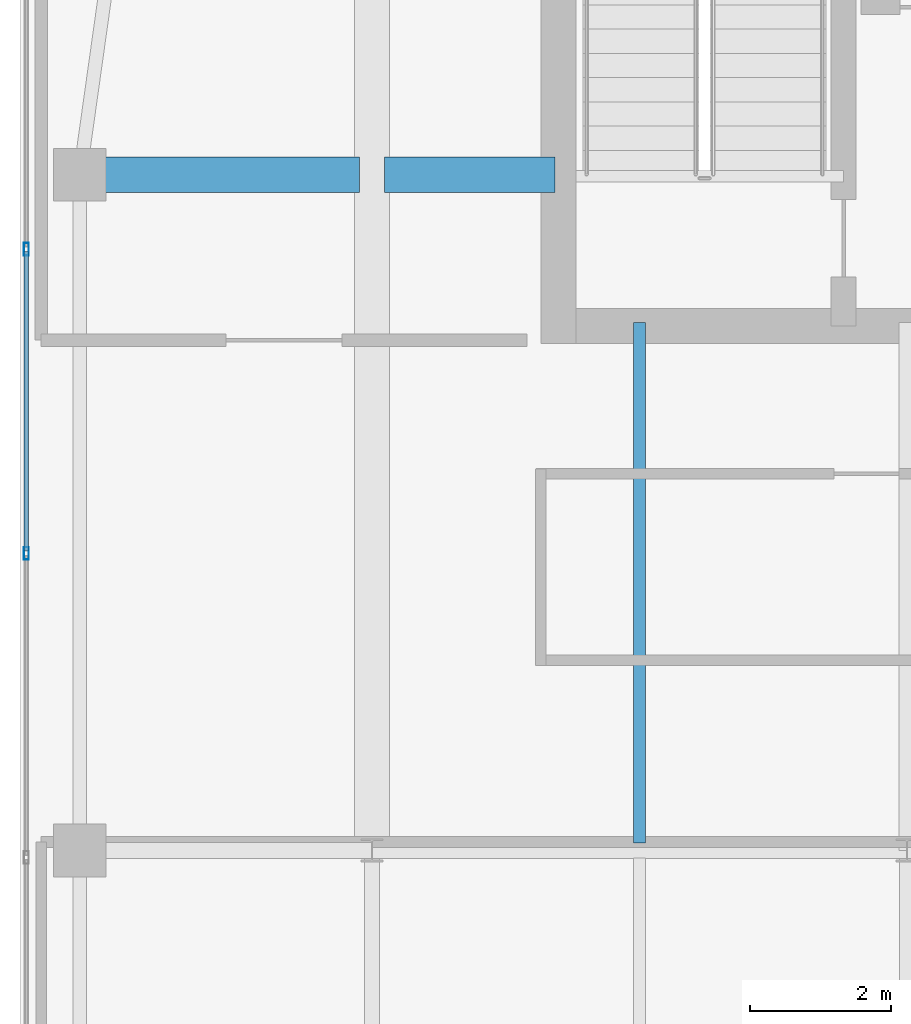
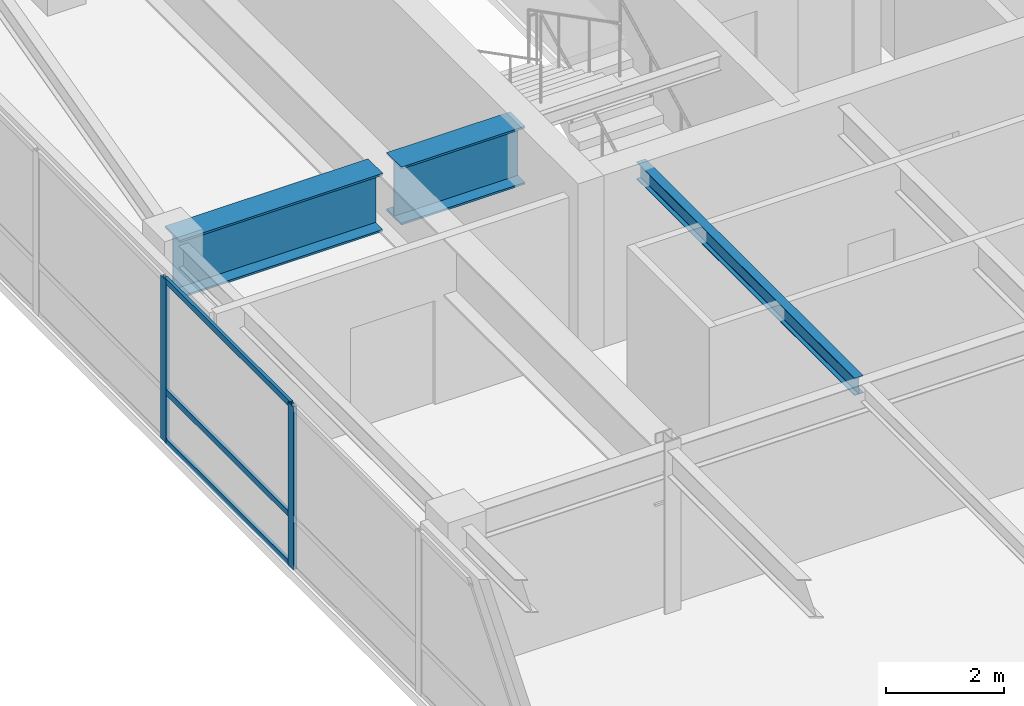
# One storey, part 9 of 21: 5 members, 3 beams, 1 element without a shape of its own.
"""IFC4 building model written with IfcOpenShell, lengths in metres."""

from ifc_helpers import new_model, si_unit, direction, frame, origin, origin_2d, place, context, subcontext, project, spatial, hollow_rectangle, i_section, extrude, source, transform, mapped, material, layer, layer_set, material_profile, profile_set, type_object, type_shapes, element, aggregate, save


model = new_model("IFC4")

# Units and contexts
model_context = context("Model", 3, precision=1e-05, world=origin(), true_north=direction((0.0, 1.0)))
body_context = subcontext(model_context, "Body", "Model", "MODEL_VIEW")
ifc_project = project(units=[si_unit("LENGTHUNIT", "METRE"), si_unit("AREAUNIT", "SQUARE_METRE"), si_unit("VOLUMEUNIT", "CUBIC_METRE"), si_unit("PLANEANGLEUNIT", "RADIAN"), si_unit("MASSUNIT", "GRAM", prefix="KILO")], contexts=[model_context])

# Site, building, storey
site_placement = place(None, origin())
site = spatial("IfcSite", under=ifc_project, at=site_placement, CompositionType="ELEMENT")
building_placement = place(site_placement, origin())
building = spatial("IfcBuilding", under=site, at=building_placement, Name="Tolvann Quenvar Hotel", CompositionType="ELEMENT")
storey_placement = place(building_placement, frame((0.0, 0.0, 227.449951171875)))
storey = spatial("IfcBuildingStorey", under=building, at=storey_placement, Name="L60", CompositionType="ELEMENT", Elevation=227.449951171875)

# Beams
ifc_material_1 = material(Name="Steel Grade 350", Category="steel")
ifc_material_profile_1 = material_profile(ifc_material_1, i_section(OverallWidth=0.5, OverallDepth=1.199951171875, WebThickness=0.01611328125, FlangeThickness=0.0400390625, at=origin_2d()), Name="1200WB455")
ifc_profile_set_1 = profile_set([ifc_material_profile_1], Name="Steel Grade 350")
beam_type_1 = type_object("IfcBeamType", Name="BM_TG_1200WB455", PredefinedType="USERDEFINED", material=ifc_profile_set_1)
shared_shape_1 = source(origin(), body_context, "Body", "SweptSolid", [
    extrude(i_section(OverallWidth=0.5, OverallDepth=1.199951171875, WebThickness=0.01611328125, FlangeThickness=0.0400390625, at=origin_2d()), origin(), (0.0, 0.0, 1.0), 2.419921875),
])
beam_1_placement = place(storey_placement, frame((7.780029296875, 34.0, 2.77001953125), z_axis=(1.0, 0.0, 0.0), x_axis=(0.0, 1.0, 0.0)))
element("IfcBeam", 1, at=beam_1_placement, inside=storey, type_object=beam_type_1, Name="BM-L60-CTW-MID2", ObjectType="TRANSFER GIRDER", PredefinedType="USERDEFINED", context=body_context, shape_type="MappedRepresentation", body=[
    mapped(shared_shape_1, transform((0.0, 0.0, 0.0), x_axis=(1.0, 0.0, 0.0), y_axis=(0.0, 1.0, 0.0), z_axis=(0.0, 0.0, 1.0), scale=1.0)),
])
shared_shape_2 = source(origin(), body_context, "Body", "SweptSolid", [
    extrude(i_section(OverallWidth=0.5, OverallDepth=1.199951171875, WebThickness=0.01611328125, FlangeThickness=0.0400390625, at=origin_2d()), origin(), (0.0, 0.0, 1.0), 3.969970703125),
])
type_shapes(beam_type_1, [shared_shape_1, shared_shape_2])
beam_2_placement = place(storey_placement, frame((3.449951171875, 34.0, 2.77001953125), z_axis=(1.0, 0.0, 0.0), x_axis=(0.0, 1.0, 0.0)))
element("IfcBeam", 2, at=beam_2_placement, inside=storey, type_object=beam_type_1, Name="BM-L60-CTW-MID1", ObjectType="TRANSFER GIRDER", PredefinedType="USERDEFINED", context=body_context, shape_type="MappedRepresentation", body=[
    mapped(shared_shape_2, transform((0.0, 0.0, 0.0), x_axis=(1.0, 0.0, 0.0), y_axis=(0.0, 1.0, 0.0), z_axis=(0.0, 0.0, 1.0), scale=1.0)),
])
ifc_material_profile_2 = material_profile(ifc_material_1, i_section(OverallWidth=0.172119140625, OverallDepth=0.35888671875, WebThickness=0.008056640625, FlangeThickness=0.012939453125, FilletRadius=0.011474609375, at=origin_2d()), Name="360UB57")
ifc_profile_set_2 = profile_set([ifc_material_profile_2], Name="Steel Grade 350")
beam_type_2 = type_object("IfcBeamType", Name="BM_JOIST_360UB57", PredefinedType="JOIST", material=ifc_profile_set_2)
shared_shape_3 = source(origin(), body_context, "Body", "SweptSolid", [
    extrude(i_section(OverallWidth=0.172119140625, OverallDepth=0.35888671875, WebThickness=0.008056640625, FlangeThickness=0.012939453125, FilletRadius=0.011474609375, at=origin_2d()), origin(), (0.0, 0.0, 1.0), 7.391845703125),
])
type_shapes(beam_type_2, [shared_shape_3])
beam_3_placement = place(storey_placement, frame((11.39990234375, 24.508056640625, 3.1904296875), z_axis=(0.0, 1.0, 0.0), x_axis=(-1.0, 0.0, 0.0)))
element("IfcBeam", 3, at=beam_3_placement, inside=storey, type_object=beam_type_2, Name="BJ-L60-114-244", PredefinedType="JOIST", context=body_context, shape_type="MappedRepresentation", body=[
    mapped(shared_shape_3, transform((0.0, 0.0, 0.0), x_axis=(1.0, 0.0, 0.0), y_axis=(0.0, 1.0, 0.0), z_axis=(0.0, 0.0, 1.0), scale=1.0)),
])

# Curtain wall, members
ifc_material_2 = material(Name="Thermally broken anodised architectural aluminium 6063-T6 and laminated low-E glass", Category="aluminium")
ifc_layer = layer(ifc_material_2, 0.179931640625)
ifc_layer_set = layer_set([ifc_layer], Name="Thermally broken anodised architectural aluminium 6063-T6 and laminated low-E glass")
curtain_wall_type = type_object("IfcCurtainWallType", Name="CW_SYS_BAND_04", PredefinedType="USERDEFINED", material=ifc_layer_set)
curtain_wall_placement = place(storey_placement, origin())
curtain_wall = element("IfcCurtainWall", 4, at=curtain_wall_placement, inside=storey, type_object=curtain_wall_type, Name="Curtain Wall CW-BAND-04 (CWR-L60-E19)", ObjectType="UNITISED CURTAIN WALL", PredefinedType="USERDEFINED")
ifc_material_3 = material(Name="Anodised architectural aluminium 6063-T6 framing", Category="aluminium")
ifc_material_profile_3 = material_profile(ifc_material_3, hollow_rectangle(XDim=0.070068359375, YDim=0.179931640625, WallThickness=0.00390625, at=origin_2d()), Name="180x70x4RHS")
ifc_profile_set_3 = profile_set([ifc_material_profile_3], Name="Anodised architectural aluminium 6063-T6 framing")
member_type_1 = type_object("IfcMemberType", Name="CW_MULL_180x70", PredefinedType="MULLION", material=ifc_profile_set_3)
shared_shape_4 = source(origin(), body_context, "Body", "SweptSolid", [
    extrude(hollow_rectangle(XDim=0.070068359375, YDim=0.179931640625, WallThickness=0.00390625, at=origin_2d()), origin(), (0.0, 0.0, 1.0), 3.3701171875),
])
type_shapes(member_type_1, [shared_shape_4])
member_1_placement = place(storey_placement, frame((2.68994140625, 32.94140625, 0.0), z_axis=(0.0, 0.0, 1.0), x_axis=(1.0, 0.0, 0.0)))
member_1 = element("IfcMember", 5, at=member_1_placement, type_object=member_type_1, Name="CW-BAND-04 mullion 3", PredefinedType="MULLION", context=body_context, shape_type="MappedRepresentation", body=[
    mapped(shared_shape_4, transform((0.0, 0.0, 0.0), x_axis=(1.0, 0.0, 0.0), y_axis=(0.0, 1.0, 0.0), z_axis=(0.0, 0.0, 1.0), scale=1.0)),
])
member_2_placement = place(storey_placement, frame((2.68994140625, 28.62060546875, 0.0), z_axis=(0.0, 0.0, 1.0), x_axis=(1.0, 0.0, 0.0)))
member_2 = element("IfcMember", 6, at=member_2_placement, type_object=member_type_1, Name="CW-BAND-04 mullion 4", PredefinedType="MULLION", context=body_context, shape_type="MappedRepresentation", body=[
    mapped(shared_shape_4, transform((0.0, 0.0, 0.0), x_axis=(1.0, 0.0, 0.0), y_axis=(0.0, 1.0, 0.0), z_axis=(0.0, 0.0, 1.0), scale=1.0)),
])
ifc_material_profile_4 = material_profile(ifc_material_3, hollow_rectangle(XDim=0.06005859375, YDim=0.1201171875, WallThickness=0.00341796875, at=origin_2d()), Name="120x60x3.5RHS")
ifc_profile_set_4 = profile_set([ifc_material_profile_4], Name="Anodised architectural aluminium 6063-T6 framing")
member_type_2 = type_object("IfcMemberType", Name="CW_TRAN_120x60", PredefinedType="USERDEFINED", material=ifc_profile_set_4)
shared_shape_5 = source(origin(), body_context, "Body", "SweptSolid", [
    extrude(hollow_rectangle(XDim=0.06005859375, YDim=0.1201171875, WallThickness=0.00341796875, at=origin_2d()), origin(), (0.0, 0.0, 1.0), 4.250732421875),
])
type_shapes(member_type_2, [shared_shape_5])
member_3_placement = place(storey_placement, frame((2.68994140625, 32.906494140625, 0.030029296875), z_axis=(0.0, -1.0, 0.0), x_axis=(1.0, 0.0, 0.0)))
member_3 = element("IfcMember", 7, at=member_3_placement, type_object=member_type_2, Name="CW-BAND-04 transom 3.1", ObjectType="TRANSOM", PredefinedType="USERDEFINED", context=body_context, shape_type="MappedRepresentation", body=[
    mapped(shared_shape_5, transform((0.0, 0.0, 0.0), x_axis=(1.0, 0.0, 0.0), y_axis=(0.0, 1.0, 0.0), z_axis=(0.0, 0.0, 1.0), scale=1.0)),
])
member_4_placement = place(storey_placement, frame((2.68994140625, 32.906494140625, 1.050048828125), z_axis=(0.0, -1.0, 0.0), x_axis=(1.0, 0.0, 0.0)))
member_4 = element("IfcMember", 8, at=member_4_placement, type_object=member_type_2, Name="CW-BAND-04 transom 3.2", ObjectType="TRANSOM", PredefinedType="USERDEFINED", context=body_context, shape_type="MappedRepresentation", body=[
    mapped(shared_shape_5, transform((0.0, 0.0, 0.0), x_axis=(1.0, 0.0, 0.0), y_axis=(0.0, 1.0, 0.0), z_axis=(0.0, 0.0, 1.0), scale=1.0)),
])
member_5_placement = place(storey_placement, frame((2.68994140625, 32.906494140625, 3.340087890625), z_axis=(0.0, -1.0, 0.0), x_axis=(1.0, 0.0, 0.0)))
member_5 = element("IfcMember", 9, at=member_5_placement, type_object=member_type_2, Name="CW-BAND-04 transom 3.3", ObjectType="TRANSOM", PredefinedType="USERDEFINED", context=body_context, shape_type="MappedRepresentation", body=[
    mapped(shared_shape_5, transform((0.0, 0.0, 0.0), x_axis=(1.0, 0.0, 0.0), y_axis=(0.0, 1.0, 0.0), z_axis=(0.0, 0.0, 1.0), scale=1.0)),
])
aggregate(curtain_wall, [member_1, member_2, member_3, member_4, member_5])

save(model, "model.ifc")
